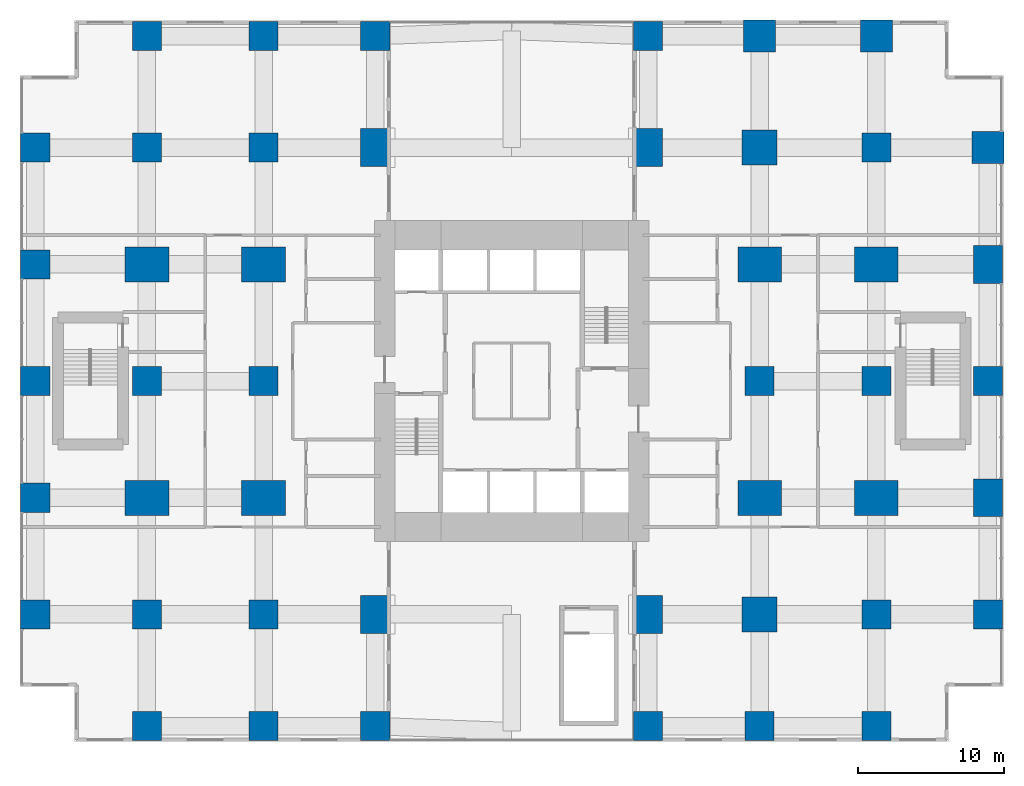
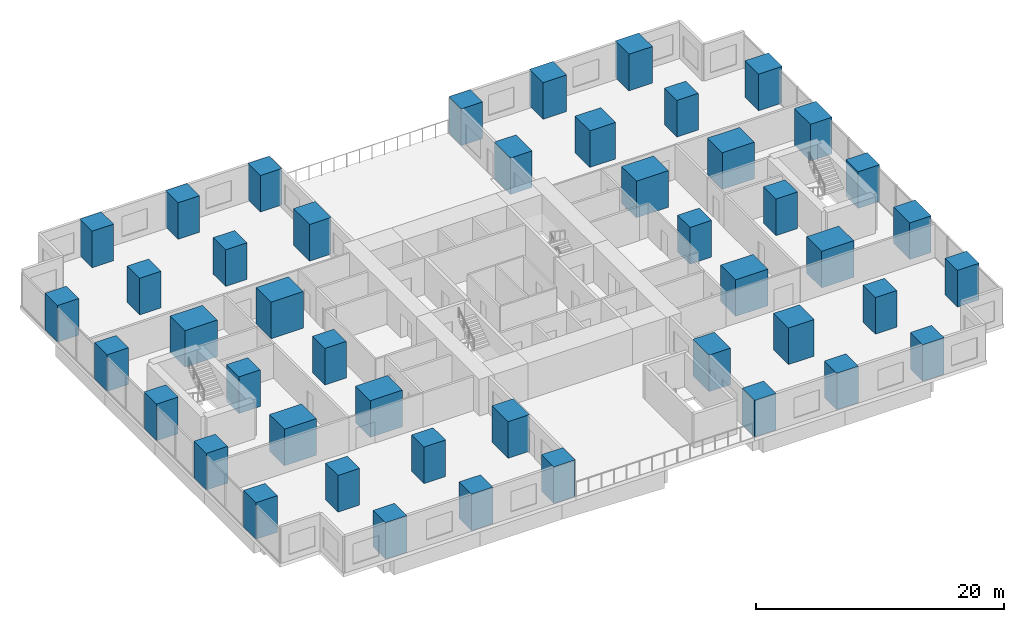
# One storey, part 1 of 15: 46 columns.
"""IFC4 building model written with IfcOpenShell, lengths in metres."""

import ifcopenshell
import ifcopenshell.guid

model = None  # the IFC model being written
_history = None  # IfcOwnerHistory: only IFC2X3 demands one
_inside = {}  # id of a spatial element -> (the spatial element, [elements in it])
_under = {}  # id of a project, library or spatial element -> (it, [spatial elements below it])
_declared = {}  # id of a project -> (the project, [libraries it declares])
_typed = {}  # id of a type object -> (the type object, [elements of that type])
_made_of = {}  # id of a material, layer set ... -> (it, [elements and type objects made of it])


def new_model(schema):
    """Start an empty IFC model of exactly this schema.

    Asked for "IFC4X3", IfcOpenShell would pick the latest addendum, in which some entities
    have other attributes; the version numbers below select the first issue.
    IFC2X3 requires an IfcOwnerHistory on every rooted entity: one is made here for all.
    """
    global model, _history
    if schema == "IFC4X3":
        model = ifcopenshell.file(schema_version=(4, 3, 0, 0))
    else:
        model = ifcopenshell.file(schema=schema)
    _inside.clear()
    _under.clear()
    _declared.clear()
    _typed.clear()
    _made_of.clear()
    _history = None
    if model.schema == "IFC2X3":
        org = make("IfcOrganization", Name="unknown")
        user = make(
            "IfcPersonAndOrganization",
            ThePerson=make("IfcPerson", FamilyName="unknown"),
            TheOrganization=org,
        )
        app = make(
            "IfcApplication",
            ApplicationDeveloper=org,
            Version="unknown",
            ApplicationFullName="unknown",
            ApplicationIdentifier="unknown",
        )
        _history = make(
            "IfcOwnerHistory",
            OwningUser=user,
            OwningApplication=app,
            ChangeAction="ADDED",
            CreationDate=0,
        )
    return model


def make(cls, **values):
    """One entity of the class cls with the attributes given. An attribute that is None is left unset."""
    return model.create_entity(
        cls, **{name: value for name, value in values.items() if value is not None}
    )


def rooted(cls, **values):
    """An entity with a GlobalId (a new one), such as an element, a storey or a relation."""
    return make(cls, GlobalId=ifcopenshell.guid.new(), OwnerHistory=_history, **values)


def si_unit(unit_type, name, prefix=None):
    """IfcSIUnit, for example si_unit("LENGTHUNIT", "METRE", prefix="MILLI")."""
    return make("IfcSIUnit", UnitType=unit_type, Prefix=prefix, Name=name)


def assignment(units):
    """IfcUnitAssignment: the units of a project."""
    return None if units is None else make("IfcUnitAssignment", Units=units)


def point(xyz):
    """IfcCartesianPoint."""
    return None if xyz is None else make("IfcCartesianPoint", Coordinates=xyz)


def direction(xyz):
    """IfcDirection."""
    return None if xyz is None else make("IfcDirection", DirectionRatios=xyz)


def frame(location, z_axis=None, x_axis=None):
    """IfcAxis2Placement3D, a coordinate frame: its origin and axes. An axis left out is left unset."""
    return make(
        "IfcAxis2Placement3D",
        Location=point(location),
        Axis=direction(z_axis),
        RefDirection=direction(x_axis),
    )


def frame_2d(location, x_axis=None):
    """IfcAxis2Placement2D, a coordinate frame in the plane: its origin and x axis."""
    return make(
        "IfcAxis2Placement2D", Location=point(location), RefDirection=direction(x_axis)
    )


def origin():
    """The frame at (0, 0, 0) with its axes left unset."""
    return frame((0.0, 0.0, 0.0))


def origin_2d():
    """The frame at (0, 0) in the plane with its x axis left unset."""
    return frame_2d((0.0, 0.0))


def place(relative_to, where):
    """IfcLocalPlacement: puts the frame where relative to a parent placement (None: the world)."""
    return make(
        "IfcLocalPlacement", PlacementRelTo=relative_to, RelativePlacement=where
    )


def context(
    kind, dimensions, precision=None, world=None, true_north=None, identifier=None
):
    """IfcGeometricRepresentationContext, for example the 3D "Model" context."""
    return make(
        "IfcGeometricRepresentationContext",
        ContextIdentifier=identifier,
        ContextType=kind,
        CoordinateSpaceDimension=dimensions,
        Precision=precision,
        WorldCoordinateSystem=world,
        TrueNorth=true_north,
    )


def subcontext(parent, identifier, kind, view, scale=None):
    """IfcGeometricRepresentationSubContext, for example "Body" below "Model"."""
    return make(
        "IfcGeometricRepresentationSubContext",
        ContextIdentifier=identifier,
        ContextType=kind,
        ParentContext=parent,
        TargetScale=scale,
        TargetView=view,
    )


def project(units=None, contexts=None):
    """IfcProject with its units and contexts."""
    return rooted(
        "IfcProject",
        Name="project",
        RepresentationContexts=contexts,
        UnitsInContext=assignment(units),
    )


def spatial(cls, under=None, at=None, **own):
    """A site, building, storey or space (cls), placed at a placement, below another one or the project."""
    s = rooted(cls, ObjectPlacement=at, **own)
    if under is not None:
        _under.setdefault(under.id(), (under, []))[1].append(s)
    return s


def profile(cls, at=None, kind="AREA", **sizes):
    """A parametric profile (cls). Its sizes go by their IFC names, for example OverallWidth=200.0."""
    return make(cls, ProfileType=kind, Position=at, **sizes)


def rectangle(**sizes):
    """IfcRectangleProfileDef."""
    return profile("IfcRectangleProfileDef", **sizes)


def extrude(swept, where, along, depth):
    """IfcExtrudedAreaSolid: the profile swept, set in the frame where, extruded along a direction by depth."""
    return make(
        "IfcExtrudedAreaSolid",
        SweptArea=swept,
        Position=where,
        ExtrudedDirection=direction(along),
        Depth=depth,
    )


def shape(context_of_items, identifier, shape_type, items):
    """IfcShapeRepresentation: the items that make up one representation, for example the "Body"."""
    return make(
        "IfcShapeRepresentation",
        ContextOfItems=context_of_items,
        RepresentationIdentifier=identifier,
        RepresentationType=shape_type,
        Items=items,
    )


def material(Name=None, Category=None):
    """IfcMaterial."""
    return make("IfcMaterial", Name=Name, Category=Category)


def material_profile(
    of_material, cross_section, Name=None, Category=None, Priority=None
):
    """IfcMaterialProfile: a cross section and its material."""
    return make(
        "IfcMaterialProfile",
        Name=Name,
        Material=of_material,
        Profile=cross_section,
        Priority=Priority,
        Category=Category,
    )


def profile_set(profiles, Name=None, composite=None):
    """IfcMaterialProfileSet."""
    return make(
        "IfcMaterialProfileSet",
        Name=Name,
        MaterialProfiles=profiles,
        CompositeProfile=composite,
    )


def made_of(thing, what):
    """Note that an element or type object is made of a material, layer set ...; save() writes the relation."""
    if what is not None:
        _made_of.setdefault(what.id(), (what, []))[1].append(thing)
    return thing


def type_object(cls, material=None, **own):
    """A type object (cls), such as IfcWallType, which elements share."""
    return made_of(rooted(cls, **own), material)


def element(
    cls,
    number,
    at=None,
    inside=None,
    cuts=None,
    type_object=None,
    material=None,
    context=None,
    identifier="Body",
    shape_type=None,
    held_by="IfcProductDefinitionShape",
    body=None,
    shapes=None,
    **own,
):
    """One element of the class cls, such as IfcWall. Its Tag is "e" and its number.

    at: its placement. inside: the storey or other place that contains it. cuts: it is an
    opening in that element (IfcRelVoidsElement). A single representation is given by context,
    identifier, shape_type and body (its items); several are given by shapes. held_by: the class
    of the entity that holds the representations. save() writes the other relations.
    """
    e = rooted(cls, Tag="e%d" % number, ObjectPlacement=at, **own)
    if body is not None:
        shapes = [shape(context, identifier, shape_type, body)]
    if shapes is not None:
        e.Representation = make(held_by, Representations=shapes)
    if inside is not None:
        _inside.setdefault(inside.id(), (inside, []))[1].append(e)
    if cuts is not None:
        rooted(
            "IfcRelVoidsElement", RelatingBuildingElement=cuts, RelatedOpeningElement=e
        )
    if type_object is not None:
        _typed.setdefault(type_object.id(), (type_object, []))[1].append(e)
    return made_of(e, material)


def aggregate(whole, parts):
    """IfcRelAggregates: a whole, such as a stair, and the parts it consists of."""
    return rooted("IfcRelAggregates", RelatingObject=whole, RelatedObjects=parts)


def save(model, path):
    """Write the relations noted so far, then the file.

    IfcRelAggregates (storeys below a building ...), IfcRelContainedInSpatialStructure (elements
    in a storey), IfcRelDefinesByType, IfcRelAssociatesMaterial and IfcRelDeclares: one each for
    every whole, place, type object, material and project.
    """
    for whole, parts in _under.values():
        aggregate(whole, parts)
    for where, things in _inside.values():
        rooted(
            "IfcRelContainedInSpatialStructure",
            RelatedElements=things,
            RelatingStructure=where,
        )
    for kind, things in _typed.values():
        rooted("IfcRelDefinesByType", RelatedObjects=things, RelatingType=kind)
    for what, things in _made_of.values():
        rooted("IfcRelAssociatesMaterial", RelatedObjects=things, RelatingMaterial=what)
    for by, libraries in _declared.values():
        rooted("IfcRelDeclares", RelatingContext=by, RelatedDefinitions=libraries)
    model.write(path)


model = new_model("IFC4")

# Units and contexts
model_context = context("Model", 3, precision=1e-05, world=origin(), true_north=direction((0.0, 1.0)))
body_context = subcontext(model_context, "Body", "Model", "MODEL_VIEW")
ifc_project = project(units=[si_unit("LENGTHUNIT", "METRE"), si_unit("AREAUNIT", "SQUARE_METRE"), si_unit("VOLUMEUNIT", "CUBIC_METRE"), si_unit("PLANEANGLEUNIT", "RADIAN"), si_unit("MASSUNIT", "GRAM", prefix="KILO")], contexts=[model_context])

# Site, building, storey
site_placement = place(None, origin())
site = spatial("IfcSite", under=ifc_project, at=site_placement, CompositionType="ELEMENT")
building_placement = place(site_placement, origin())
building = spatial("IfcBuilding", under=site, at=building_placement, Name="Cleftline Residences", CompositionType="ELEMENT")
storey_placement = place(building_placement, frame((0.0, 0.0, 26.0)))
storey = spatial("IfcBuildingStorey", under=building, at=storey_placement, Name="L05", CompositionType="ELEMENT", Elevation=26.0)

# Columns
ifc_material_1 = material(Name="Concrete B70", Category="concrete")
ifc_material_profile_1 = material_profile(ifc_material_1, rectangle(XDim=2.0, YDim=2.0, at=origin_2d()))
ifc_profile_set_1 = profile_set([ifc_material_profile_1], Name="Concrete B70")
column_type_1 = type_object("IfcColumnType", Name="COLUMN RC2000X2000", PredefinedType="COLUMN", material=ifc_profile_set_1)
for number, where, z_axis, x_axis, name in (
    (1, (0.35009765625, 8.0, 0.0), (0.0, 0.0, 1.0), (1.0, 0.0, 0.0), "Column D/3"),
    (2, (0.35009765625, 16.0, 0.0), (0.0, 0.0, 1.0), (1.0, 0.0, 0.0), "Column E/3"),
    (3, (0.35009765625, 24.0, 0.0), (0.0, 0.0, 1.0), (1.0, 0.0, 0.0), "Column F/3"),
    (4, (0.35009765625, 32.0, 0.0), (0.0, 0.0, 1.0), (1.0, 0.0, 0.0), "Column G/3"),
    (5, (0.35009765625, 40.0, 0.0), (0.0, 0.0, 1.0), (1.0, 0.0, 0.0), "Column H/3"),
    (6, (8.0, 0.35009765625, 0.0), (0.0, 0.0, 1.0), (1.0, 0.0, 0.0), "Column C/4"),
    (7, (8.0, 8.0, 0.0), (0.0, 0.0, 1.0), (1.0, 0.0, 0.0), "Column D/4"),
    (8, (8.0, 24.0, 0.0), (0.0, 0.0, 1.0), (1.0, 0.0, 0.0), "Column F/4"),
    (9, (8.0, 40.0, 0.0), (0.0, 0.0, 1.0), (1.0, 0.0, 0.0), "Column H/4"),
    (10, (8.0, 47.64990234375, 0.0), (0.0, 0.0, 1.0), (1.0, 0.0, 0.0), "Column J/4"),
    (11, (16.0, 0.35009765625, 0.0), (0.0, 0.0, 1.0), (1.0, 0.0, 0.0), "Column C/5"),
    (12, (16.0, 8.0, 0.0), (0.0, 0.0, 1.0), (1.0, 0.0, 0.0), "Column D/5"),
    (13, (16.0, 24.0, 0.0), (0.0, 0.0, 1.0), (1.0, 0.0, 0.0), "Column F/5"),
    (14, (16.0, 40.0, 0.0), (0.0, 0.0, 1.0), (1.0, 0.0, 0.0), "Column H/5"),
    (15, (16.0, 47.64990234375, 0.0), (0.0, 0.0, 1.0), (1.0, 0.0, 0.0), "Column J/5"),
    (16, (23.64990234375, 0.35009765625, 0.0), (0.0, 0.0, 1.0), (1.0, 0.0, 0.0), "Column C/6"),
    (17, (23.64990234375, 47.64990234375, 0.0), (0.0, 0.0, 1.0), (1.0, 0.0, 0.0), "Column J/6"),
    (18, (42.35009765625, 0.35009765625, 0.0), (0.0, 0.0, 1.0), (1.0, 0.0, 0.0), "Column C/8"),
    (19, (42.35009765625, 47.64990234375, 0.0), (0.0, 0.0, 1.0), (1.0, 0.0, 0.0), "Column J/8"),
    (20, (50.0, 0.35009765625, 0.0), (0.0, 0.0, 1.0), (1.0, 0.0, 0.0), "Column C/9"),
    (21, (50.0, 24.0, 0.0), (0.0, 0.0, 1.0), (1.0, 0.0, 0.0), "Column F/9"),
    (22, (58.0, 0.35009765625, 0.0), (0.0, 0.0, 1.0), (1.0, 0.0, 0.0), "Column C/10"),
    (23, (58.0, 8.0, 0.0), (0.0, 0.0, 1.0), (1.0, 0.0, 0.0), "Column D/10"),
    (24, (58.0, 24.0, 0.0), (0.0, 0.0, 1.0), (1.0, 0.0, 0.0), "Column F/10"),
    (25, (58.0, 40.0, 0.0), (0.0, 0.0, 1.0), (1.0, 0.0, 0.0), "Column H/10"),
    (26, (65.64990234375, 8.0, 0.0), (0.0, 0.0, 1.0), (1.0, 0.0, 0.0), "Column D/11"),
    (27, (65.64990234375, 24.0, 0.0), (0.0, 0.0, 1.0), (1.0, 0.0, 0.0), "Column F/11"),
):
    element("IfcColumn", number, at=place(storey_placement, frame(where, z_axis=z_axis, x_axis=x_axis)), inside=storey, type_object=column_type_1, Name=name, PredefinedType="COLUMN", context=body_context, shape_type="SweptSolid", body=[
        extrude(rectangle(XDim=2.0, YDim=2.0, at=origin_2d()), origin(), (0.0, 0.0, 1.0), 3.60009765625),
    ])
ifc_material_2 = material(Name="Concrete B70", Category="concrete")
ifc_material_profile_2 = material_profile(ifc_material_2, rectangle(XDim=2.0, YDim=2.60009765625, at=origin_2d()))
ifc_profile_set_2 = profile_set([ifc_material_profile_2], Name="Concrete B70")
column_type_2 = type_object("IfcColumnType", Name="COLUMN RC2000X2600", PredefinedType="COLUMN", material=ifc_profile_set_2)
for number, where, z_axis, x_axis, name in (
    (28, (23.64990234375, 8.0, 0.0), (0.0, 0.0, 1.0), (1.0, 0.0, 0.0), "Column D/6"),
    (29, (23.64990234375, 40.0, 0.0), (0.0, 0.0, 1.0), (1.0, 0.0, 0.0), "Column H/6"),
    (30, (42.35009765625, 8.0, 0.0), (0.0, 0.0, 1.0), (1.0, 0.0, 0.0), "Column D/8"),
    (31, (42.35009765625, 40.0, 0.0), (0.0, 0.0, 1.0), (1.0, 0.0, 0.0), "Column H/8"),
):
    element("IfcColumn", number, at=place(storey_placement, frame(where, z_axis=z_axis, x_axis=x_axis)), inside=storey, type_object=column_type_2, Name=name, PredefinedType="COLUMN", context=body_context, shape_type="SweptSolid", body=[
        extrude(rectangle(XDim=2.0, YDim=2.60009765625, at=origin_2d()), origin(), (0.0, 0.0, 1.0), 3.60009765625),
    ])
ifc_material_3 = material(Name="Concrete B70", Category="concrete")
ifc_material_profile_3 = material_profile(ifc_material_3, rectangle(XDim=2.199951171875, YDim=2.199951171875, at=origin_2d()))
ifc_profile_set_3 = profile_set([ifc_material_profile_3], Name="Concrete B70")
column_type_3 = type_object("IfcColumnType", Name="COLUMN RC2200X2200", PredefinedType="COLUMN", material=ifc_profile_set_3)
for number, where, z_axis, x_axis, name in (
    (32, (50.0, 47.64990234375, 0.0), (0.0, 0.0, 1.0), (1.0, 0.0, 0.0), "Column J/9"),
    (33, (58.0, 47.64990234375, 0.0), (0.0, 0.0, 1.0), (1.0, 0.0, 0.0), "Column J/10"),
    (34, (65.64990234375, 40.0, 0.0), (0.0, 0.0, 1.0), (1.0, 0.0, 0.0), "Column H/11"),
):
    element("IfcColumn", number, at=place(storey_placement, frame(where, z_axis=z_axis, x_axis=x_axis)), inside=storey, type_object=column_type_3, Name=name, PredefinedType="COLUMN", context=body_context, shape_type="SweptSolid", body=[
        extrude(rectangle(XDim=2.199951171875, YDim=2.199951171875, at=origin_2d()), origin(), (0.0, 0.0, 1.0), 3.60009765625),
    ])
ifc_material_4 = material(Name="Concrete B70", Category="concrete")
ifc_material_profile_4 = material_profile(ifc_material_4, rectangle(XDim=2.39990234375, YDim=2.39990234375, at=origin_2d()))
ifc_profile_set_4 = profile_set([ifc_material_profile_4], Name="Concrete B70")
column_type_4 = type_object("IfcColumnType", Name="COLUMN RC2400X2400", PredefinedType="COLUMN", material=ifc_profile_set_4)
for number, where, z_axis, x_axis, name in (
    (35, (50.0, 8.0, 0.0), (0.0, 0.0, 1.0), (1.0, 0.0, 0.0), "Column D/9"),
    (36, (50.0, 40.0, 0.0), (0.0, 0.0, 1.0), (1.0, 0.0, 0.0), "Column H/9"),
):
    element("IfcColumn", number, at=place(storey_placement, frame(where, z_axis=z_axis, x_axis=x_axis)), inside=storey, type_object=column_type_4, Name=name, PredefinedType="COLUMN", context=body_context, shape_type="SweptSolid", body=[
        extrude(rectangle(XDim=2.39990234375, YDim=2.39990234375, at=origin_2d()), origin(), (0.0, 0.0, 1.0), 3.60009765625),
    ])
ifc_material_5 = material(Name="Concrete B70", Category="concrete")
ifc_material_profile_5 = material_profile(ifc_material_5, rectangle(XDim=2.60009765625, YDim=2.0, at=origin_2d()))
ifc_profile_set_5 = profile_set([ifc_material_profile_5], Name="Concrete B70")
column_type_5 = type_object("IfcColumnType", Name="COLUMN RC2600X2000", PredefinedType="COLUMN", material=ifc_profile_set_5)
for number, where, z_axis, x_axis, name in (
    (37, (65.64990234375, 16.0, 0.0), (0.0, 0.0, 1.0), (0.0, 1.0, 0.0), "Column E/11"),
    (38, (65.64990234375, 32.0, 0.0), (0.0, 0.0, 1.0), (0.0, 1.0, 0.0), "Column G/11"),
):
    element("IfcColumn", number, at=place(storey_placement, frame(where, z_axis=z_axis, x_axis=x_axis)), inside=storey, type_object=column_type_5, Name=name, PredefinedType="COLUMN", context=body_context, shape_type="SweptSolid", body=[
        extrude(rectangle(XDim=2.60009765625, YDim=2.0, at=origin_2d()), origin(), (0.0, 0.0, 1.0), 3.60009765625),
    ])
ifc_material_6 = material(Name="Concrete B70", Category="concrete")
ifc_material_profile_6 = material_profile(ifc_material_6, rectangle(XDim=3.0, YDim=2.39990234375, at=origin_2d()))
ifc_profile_set_6 = profile_set([ifc_material_profile_6], Name="Concrete B70")
column_type_6 = type_object("IfcColumnType", Name="COLUMN RC3000X2400", PredefinedType="COLUMN", material=ifc_profile_set_6)
for number, where, z_axis, x_axis, name in (
    (39, (8.0, 16.0, 0.0), (0.0, 0.0, 1.0), (1.0, 0.0, 0.0), "Column E/4"),
    (40, (8.0, 32.0, 0.0), (0.0, 0.0, 1.0), (1.0, 0.0, 0.0), "Column G/4"),
    (41, (16.0, 16.0, 0.0), (0.0, 0.0, 1.0), (1.0, 0.0, 0.0), "Column E/5"),
    (42, (16.0, 32.0, 0.0), (0.0, 0.0, 1.0), (1.0, 0.0, 0.0), "Column G/5"),
    (43, (50.0, 16.0, 0.0), (0.0, 0.0, 1.0), (1.0, 0.0, 0.0), "Column E/9"),
    (44, (50.0, 32.0, 0.0), (0.0, 0.0, 1.0), (1.0, 0.0, 0.0), "Column G/9"),
    (45, (58.0, 16.0, 0.0), (0.0, 0.0, 1.0), (1.0, 0.0, 0.0), "Column E/10"),
    (46, (58.0, 32.0, 0.0), (0.0, 0.0, 1.0), (1.0, 0.0, 0.0), "Column G/10"),
):
    element("IfcColumn", number, at=place(storey_placement, frame(where, z_axis=z_axis, x_axis=x_axis)), inside=storey, type_object=column_type_6, Name=name, PredefinedType="COLUMN", context=body_context, shape_type="SweptSolid", body=[
        extrude(rectangle(XDim=3.0, YDim=2.39990234375, at=origin_2d()), origin(), (0.0, 0.0, 1.0), 3.60009765625),
    ])

save(model, "model.ifc")
